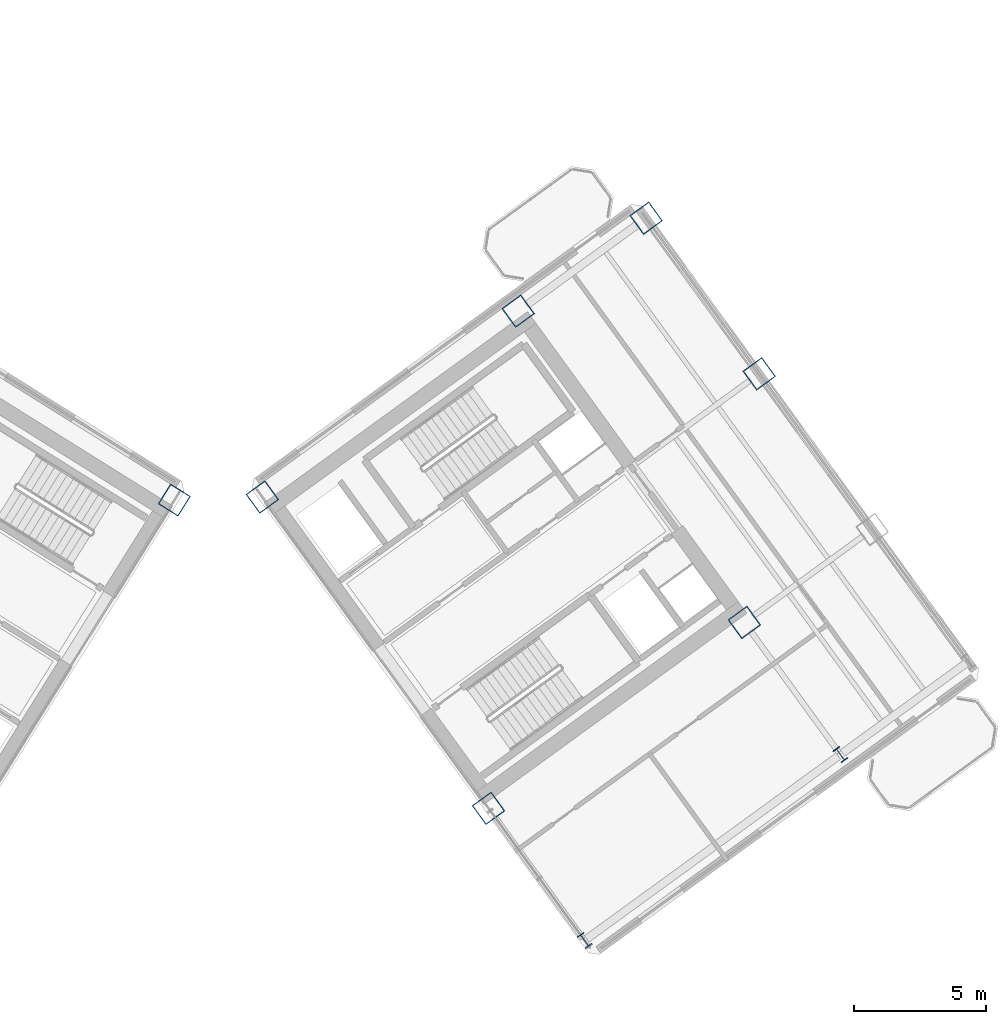
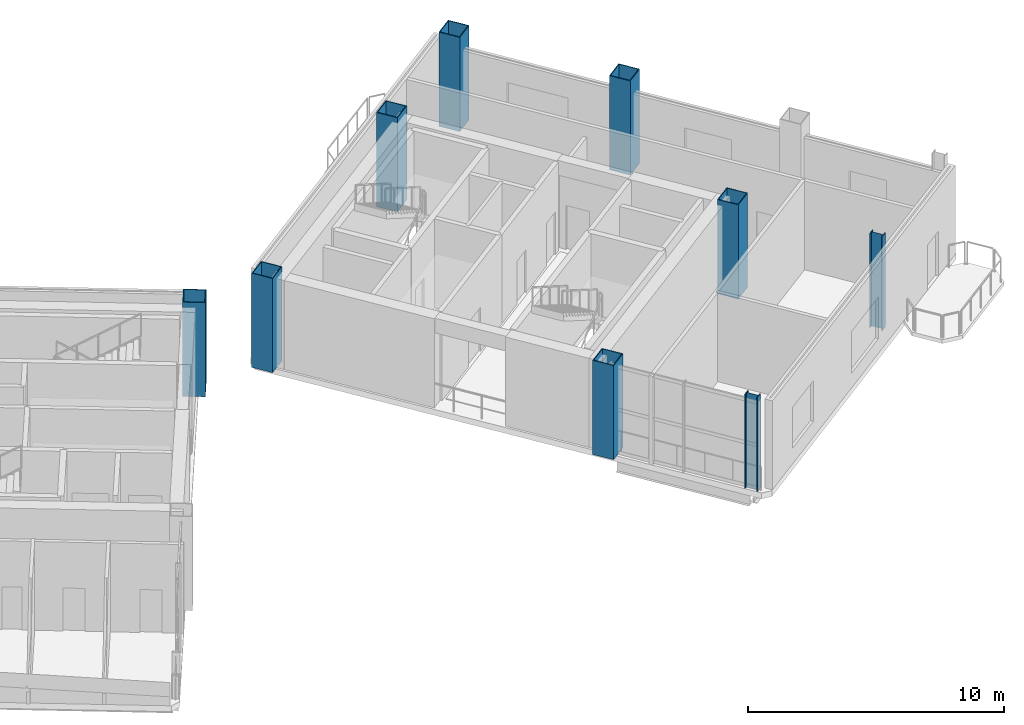
# One storey, part 2 of 18: 9 columns.
"""IFC4 building model written with IfcOpenShell, lengths in metres."""

from ifc_helpers import new_model, si_unit, direction, frame, origin, origin_2d, place, context, subcontext, project, spatial, hollow_rectangle, i_section, extrude, source, transform, mapped, material, material_profile, profile_set, type_object, element, save


model = new_model("IFC4")

# Units and contexts
model_context = context("Model", 3, precision=1e-05, world=origin(), true_north=direction((0.0, 1.0)))
body_context = subcontext(model_context, "Body", "Model", "MODEL_VIEW")
ifc_project = project(units=[si_unit("LENGTHUNIT", "METRE"), si_unit("AREAUNIT", "SQUARE_METRE"), si_unit("VOLUMEUNIT", "CUBIC_METRE"), si_unit("PLANEANGLEUNIT", "RADIAN"), si_unit("MASSUNIT", "GRAM", prefix="KILO")], contexts=[model_context])

# Site, building, storey
site_placement = place(None, origin())
site = spatial("IfcSite", under=ifc_project, at=site_placement, CompositionType="ELEMENT")
building_placement = place(site_placement, origin())
building = spatial("IfcBuilding", under=site, at=building_placement, Name="Tlacorven Tower", CompositionType="ELEMENT")
storey_placement = place(building_placement, frame((0.0, 0.0, 136.199951171875)))
storey = spatial("IfcBuildingStorey", under=building, at=storey_placement, Name="L34", CompositionType="ELEMENT", Elevation=136.199951171875)

# Columns
ifc_material = material(Name="Steel S460M", Category="steel")
ifc_material_profile_1 = material_profile(ifc_material, hollow_rectangle(XDim=0.89990234375, YDim=0.89990234375, WallThickness=0.035888671875, at=origin_2d()), Name="BOX 900X900X36")
ifc_profile_set_1 = profile_set([ifc_material_profile_1], Name="Steel S460M")
column_type_1 = type_object("IfcColumnType", Name="COL-TWR-S2", PredefinedType="COLUMN", material=ifc_profile_set_1)
shared_shape_1 = source(origin(), body_context, "Body", "SweptSolid", [
    extrude(hollow_rectangle(XDim=0.89990234375, YDim=0.89990234375, WallThickness=0.035888671875, at=origin_2d()), origin(), (0.0, 0.0, 1.0), 4.5),
])
for number, where, z_axis, x_axis, name in (
    (1, (40.782958984375, 24.468505859375, 0.0), (0.0, 0.0, 1.0), (-0.848048096156, 0.529919264233, 0.0), "L34 column COL-L34-W1-1"),
    (2, (52.705322265625, 12.7734375, 0.0), (0.0, 0.0, 1.0), (0.809016994375, 0.587785252292, 0.0), "L34 column COL-L34-E1-2"),
    (3, (44.123779296875, 24.5849609375, 0.0), (0.0, 0.0, 1.0), (0.809016994375, 0.587785252292, 0.0), "L34 column COL-L34-E1-4"),
    (4, (62.41357421875, 19.826904296875, 0.0), (0.0, 0.0, 1.0), (0.809016994375, 0.587785252292, 0.0), "L34 column COL-L34-E3-2"),
    (5, (53.83203125, 31.638427734375, 0.0), (0.0, 0.0, 1.0), (0.809016994375, 0.587785252292, 0.0), "L34 column COL-L34-E3-4"),
    (6, (62.976806640625, 29.25927734375, 0.0), (0.0, 0.0, 1.0), (0.809016994375, 0.587785252292, 0.0), "L34 column COL-L34-E4-3"),
    (7, (58.68603515625, 35.165283203125, 0.0), (0.0, 0.0, 1.0), (0.809016994375, 0.587785252292, 0.0), "L34 column COL-L34-E4-4"),
):
    element("IfcColumn", number, at=place(storey_placement, frame(where, z_axis=z_axis, x_axis=x_axis)), inside=storey, type_object=column_type_1, Name=name, PredefinedType="COLUMN", context=body_context, shape_type="MappedRepresentation", body=[
        mapped(shared_shape_1, transform((0.0, 0.0, 0.0), scale=1.0)),
    ])
ifc_material_profile_2 = material_profile(ifc_material, i_section(OverallWidth=0.300048828125, OverallDepth=0.550048828125, WebThickness=0.014892578125, FlangeThickness=0.029052734375, at=origin_2d()), Name="HEB 550")
ifc_profile_set_2 = profile_set([ifc_material_profile_2], Name="Steel S460M")
column_type_2 = type_object("IfcColumnType", Name="COL-TWR-P2", PredefinedType="COLUMN", material=ifc_profile_set_2)
shared_shape_2 = source(origin(), body_context, "Body", "SweptSolid", [
    extrude(i_section(OverallWidth=0.300048828125, OverallDepth=0.550048828125, WebThickness=0.014892578125, FlangeThickness=0.029052734375, at=origin_2d()), origin(), (0.0, 0.0, 1.0), 4.5),
])
for number, where, z_axis, x_axis, name in (
    (8, (56.349609375, 7.757568359375, 0.0), (0.0, 0.0, 1.0), (0.809016994375, 0.587785252292, 0.0), "L34 column COL-L34-E1-1"),
    (9, (66.057861328125, 14.81103515625, 0.0), (0.0, 0.0, 1.0), (0.809016994375, 0.587785252292, 0.0), "L34 column COL-L34-E3-1"),
):
    element("IfcColumn", number, at=place(storey_placement, frame(where, z_axis=z_axis, x_axis=x_axis)), inside=storey, type_object=column_type_2, Name=name, PredefinedType="COLUMN", context=body_context, shape_type="MappedRepresentation", body=[
        mapped(shared_shape_2, transform((0.0, 0.0, 0.0), scale=1.0)),
    ])

save(model, "model.ifc")
